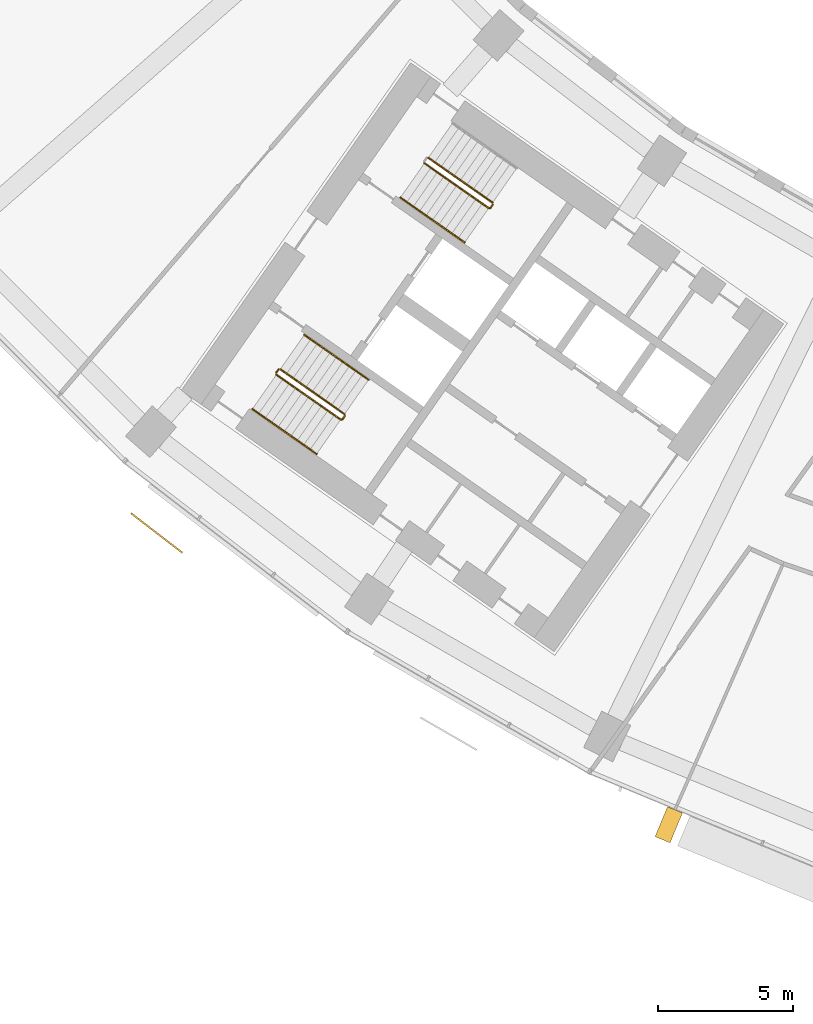
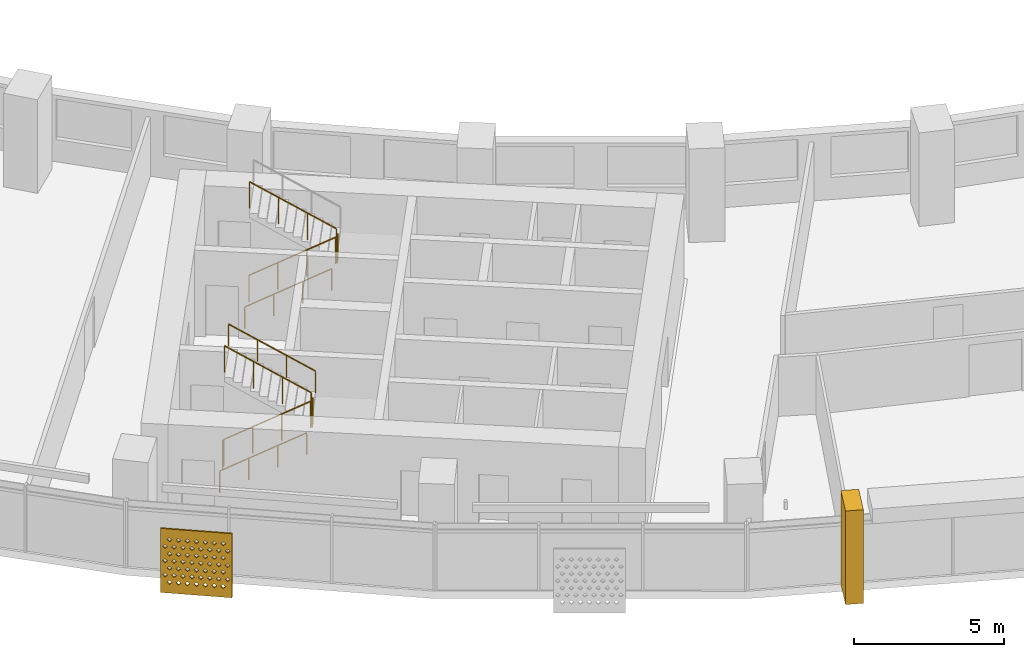
# One storey, part 24 of 29: 8 railings, 2 shading devices.
"""IFC4 building model written with IfcOpenShell, lengths in metres."""

from ifc_helpers import new_model, si_unit, direction, frame, origin, origin_2d, place, context, subcontext, project, spatial, polyline, circle, outline, extrude, material, material_profile, profile_set, type_object, element, save


model = new_model("IFC4")

# Units and contexts
model_context = context("Model", 3, precision=1e-05, world=origin(), true_north=direction((0.0, 1.0)))
body_context = subcontext(model_context, "Body", "Model", "MODEL_VIEW")
ifc_project = project(units=[si_unit("LENGTHUNIT", "METRE"), si_unit("AREAUNIT", "SQUARE_METRE"), si_unit("VOLUMEUNIT", "CUBIC_METRE"), si_unit("PLANEANGLEUNIT", "RADIAN"), si_unit("MASSUNIT", "GRAM", prefix="KILO")], contexts=[model_context])

# Site, building, storey
site_placement = place(None, origin())
site = spatial("IfcSite", under=ifc_project, at=site_placement, CompositionType="ELEMENT")
building_placement = place(site_placement, origin())
building = spatial("IfcBuilding", under=site, at=building_placement, Name="Qamariyya Broadcast Tower", CompositionType="ELEMENT")
storey_placement = place(building_placement, frame((0.0, 0.0, 106.300048828125)))
storey = spatial("IfcBuildingStorey", under=building, at=storey_placement, Name="L23", CompositionType="ELEMENT", Elevation=106.300048828125)

# Shading devices
ifc_material_1 = material(Name="Steel S355 powder coated deep red", Category="steel")
shading_device_type_1 = type_object("IfcShadingDeviceType", Name="Deep red frame, powder coated steel box section", PredefinedType="USERDEFINED", material=ifc_material_1)
shading_device_1_placement = place(storey_placement, origin())
element("IfcShadingDevice", 1, at=shading_device_1_placement, inside=storey, type_object=shading_device_type_1, Name="e-frm-B2-F1-posta-L23", ObjectType="FRAME", PredefinedType="USERDEFINED", context=body_context, shape_type="SweptSolid", body=[
    extrude(outline(polyline([(-32.15625, -72.330322265625), (-32.615478515625, -73.43896484375), (-32.06103515625, -73.668701171875), (-31.601806640625, -72.56005859375), (-32.15625, -72.330322265625)])), origin(), (0.0, 0.0, 1.0), 3.800048828125),
])
ifc_material_2 = material(Name="Perforated glazed terracotta", Category="masonry")
ifc_material_profile = material_profile(ifc_material_2, outline(polyline([(-1.199951171875, -1.300048828125), (1.199951171875, -1.300048828125), (1.199951171875, 1.300048828125), (-1.199951171875, 1.300048828125), (-1.199951171875, -1.300048828125)]), holes=[polyline([(-0.81494140625, -0.86669921875), (-0.89990234375, -0.78173828125), (-0.985107421875, -0.86669921875), (-0.89990234375, -0.95166015625), (-0.81494140625, -0.86669921875)]), polyline([(-0.514892578125, -0.86669921875), (-0.60009765625, -0.78173828125), (-0.68505859375, -0.86669921875), (-0.60009765625, -0.95166015625), (-0.514892578125, -0.86669921875)]), polyline([(-0.215087890625, -0.86669921875), (-0.300048828125, -0.78173828125), (-0.385009765625, -0.86669921875), (-0.300048828125, -0.95166015625), (-0.215087890625, -0.86669921875)]), polyline([(0.0849609375, -0.86669921875), (0.0, -0.78173828125), (-0.0849609375, -0.86669921875), (0.0, -0.95166015625), (0.0849609375, -0.86669921875)]), polyline([(0.385009765625, -0.86669921875), (0.300048828125, -0.78173828125), (0.215087890625, -0.86669921875), (0.300048828125, -0.95166015625), (0.385009765625, -0.86669921875)]), polyline([(0.68505859375, -0.86669921875), (0.60009765625, -0.78173828125), (0.514892578125, -0.86669921875), (0.60009765625, -0.95166015625), (0.68505859375, -0.86669921875)]), polyline([(0.985107421875, -0.86669921875), (0.89990234375, -0.78173828125), (0.81494140625, -0.86669921875), (0.89990234375, -0.95166015625), (0.985107421875, -0.86669921875)]), polyline([(-0.965087890625, -0.577880859375), (-1.050048828125, -0.49267578125), (-1.135009765625, -0.577880859375), (-1.050048828125, -0.662841796875), (-0.965087890625, -0.577880859375)]), polyline([(-0.6650390625, -0.577880859375), (-0.75, -0.49267578125), (-0.8349609375, -0.577880859375), (-0.75, -0.662841796875), (-0.6650390625, -0.577880859375)]), polyline([(-0.364990234375, -0.577880859375), (-0.449951171875, -0.49267578125), (-0.534912109375, -0.577880859375), (-0.449951171875, -0.662841796875), (-0.364990234375, -0.577880859375)]), polyline([(-0.06494140625, -0.577880859375), (-0.14990234375, -0.49267578125), (-0.235107421875, -0.577880859375), (-0.14990234375, -0.662841796875), (-0.06494140625, -0.577880859375)]), polyline([(0.235107421875, -0.577880859375), (0.14990234375, -0.49267578125), (0.06494140625, -0.577880859375), (0.14990234375, -0.662841796875), (0.235107421875, -0.577880859375)]), polyline([(0.534912109375, -0.577880859375), (0.449951171875, -0.49267578125), (0.364990234375, -0.577880859375), (0.449951171875, -0.662841796875), (0.534912109375, -0.577880859375)]), polyline([(0.8349609375, -0.577880859375), (0.75, -0.49267578125), (0.6650390625, -0.577880859375), (0.75, -0.662841796875), (0.8349609375, -0.577880859375)]), polyline([(1.135009765625, -0.577880859375), (1.050048828125, -0.49267578125), (0.965087890625, -0.577880859375), (1.050048828125, -0.662841796875), (1.135009765625, -0.577880859375)]), polyline([(-0.81494140625, -0.288818359375), (-0.89990234375, -0.203857421875), (-0.985107421875, -0.288818359375), (-0.89990234375, -0.373779296875), (-0.81494140625, -0.288818359375)]), polyline([(-0.514892578125, -0.288818359375), (-0.60009765625, -0.203857421875), (-0.68505859375, -0.288818359375), (-0.60009765625, -0.373779296875), (-0.514892578125, -0.288818359375)]), polyline([(-0.215087890625, -0.288818359375), (-0.300048828125, -0.203857421875), (-0.385009765625, -0.288818359375), (-0.300048828125, -0.373779296875), (-0.215087890625, -0.288818359375)]), polyline([(0.0849609375, -0.288818359375), (0.0, -0.203857421875), (-0.0849609375, -0.288818359375), (0.0, -0.373779296875), (0.0849609375, -0.288818359375)]), polyline([(0.385009765625, -0.288818359375), (0.300048828125, -0.203857421875), (0.215087890625, -0.288818359375), (0.300048828125, -0.373779296875), (0.385009765625, -0.288818359375)]), polyline([(0.68505859375, -0.288818359375), (0.60009765625, -0.203857421875), (0.514892578125, -0.288818359375), (0.60009765625, -0.373779296875), (0.68505859375, -0.288818359375)]), polyline([(0.985107421875, -0.288818359375), (0.89990234375, -0.203857421875), (0.81494140625, -0.288818359375), (0.89990234375, -0.373779296875), (0.985107421875, -0.288818359375)]), polyline([(-0.965087890625, 0.0), (-1.050048828125, 0.0849609375), (-1.135009765625, 0.0), (-1.050048828125, -0.0849609375), (-0.965087890625, 0.0)]), polyline([(-0.6650390625, 0.0), (-0.75, 0.0849609375), (-0.8349609375, 0.0), (-0.75, -0.0849609375), (-0.6650390625, 0.0)]), polyline([(-0.364990234375, 0.0), (-0.449951171875, 0.0849609375), (-0.534912109375, 0.0), (-0.449951171875, -0.0849609375), (-0.364990234375, 0.0)]), polyline([(-0.06494140625, 0.0), (-0.14990234375, 0.0849609375), (-0.235107421875, 0.0), (-0.14990234375, -0.0849609375), (-0.06494140625, 0.0)]), polyline([(0.235107421875, 0.0), (0.14990234375, 0.0849609375), (0.06494140625, 0.0), (0.14990234375, -0.0849609375), (0.235107421875, 0.0)]), polyline([(0.534912109375, 0.0), (0.449951171875, 0.0849609375), (0.364990234375, 0.0), (0.449951171875, -0.0849609375), (0.534912109375, 0.0)]), polyline([(0.8349609375, 0.0), (0.75, 0.0849609375), (0.6650390625, 0.0), (0.75, -0.0849609375), (0.8349609375, 0.0)]), polyline([(1.135009765625, 0.0), (1.050048828125, 0.0849609375), (0.965087890625, 0.0), (1.050048828125, -0.0849609375), (1.135009765625, 0.0)]), polyline([(-0.81494140625, 0.288818359375), (-0.89990234375, 0.373779296875), (-0.985107421875, 0.288818359375), (-0.89990234375, 0.203857421875), (-0.81494140625, 0.288818359375)]), polyline([(-0.514892578125, 0.288818359375), (-0.60009765625, 0.373779296875), (-0.68505859375, 0.288818359375), (-0.60009765625, 0.203857421875), (-0.514892578125, 0.288818359375)]), polyline([(-0.215087890625, 0.288818359375), (-0.300048828125, 0.373779296875), (-0.385009765625, 0.288818359375), (-0.300048828125, 0.203857421875), (-0.215087890625, 0.288818359375)]), polyline([(0.0849609375, 0.288818359375), (0.0, 0.373779296875), (-0.0849609375, 0.288818359375), (0.0, 0.203857421875), (0.0849609375, 0.288818359375)]), polyline([(0.385009765625, 0.288818359375), (0.300048828125, 0.373779296875), (0.215087890625, 0.288818359375), (0.300048828125, 0.203857421875), (0.385009765625, 0.288818359375)]), polyline([(0.68505859375, 0.288818359375), (0.60009765625, 0.373779296875), (0.514892578125, 0.288818359375), (0.60009765625, 0.203857421875), (0.68505859375, 0.288818359375)]), polyline([(0.985107421875, 0.288818359375), (0.89990234375, 0.373779296875), (0.81494140625, 0.288818359375), (0.89990234375, 0.203857421875), (0.985107421875, 0.288818359375)]), polyline([(-0.965087890625, 0.577880859375), (-1.050048828125, 0.662841796875), (-1.135009765625, 0.577880859375), (-1.050048828125, 0.49267578125), (-0.965087890625, 0.577880859375)]), polyline([(-0.6650390625, 0.577880859375), (-0.75, 0.662841796875), (-0.8349609375, 0.577880859375), (-0.75, 0.49267578125), (-0.6650390625, 0.577880859375)]), polyline([(-0.364990234375, 0.577880859375), (-0.449951171875, 0.662841796875), (-0.534912109375, 0.577880859375), (-0.449951171875, 0.49267578125), (-0.364990234375, 0.577880859375)]), polyline([(-0.06494140625, 0.577880859375), (-0.14990234375, 0.662841796875), (-0.235107421875, 0.577880859375), (-0.14990234375, 0.49267578125), (-0.06494140625, 0.577880859375)]), polyline([(0.235107421875, 0.577880859375), (0.14990234375, 0.662841796875), (0.06494140625, 0.577880859375), (0.14990234375, 0.49267578125), (0.235107421875, 0.577880859375)]), polyline([(0.534912109375, 0.577880859375), (0.449951171875, 0.662841796875), (0.364990234375, 0.577880859375), (0.449951171875, 0.49267578125), (0.534912109375, 0.577880859375)]), polyline([(0.8349609375, 0.577880859375), (0.75, 0.662841796875), (0.6650390625, 0.577880859375), (0.75, 0.49267578125), (0.8349609375, 0.577880859375)]), polyline([(1.135009765625, 0.577880859375), (1.050048828125, 0.662841796875), (0.965087890625, 0.577880859375), (1.050048828125, 0.49267578125), (1.135009765625, 0.577880859375)]), polyline([(-0.81494140625, 0.86669921875), (-0.89990234375, 0.95166015625), (-0.985107421875, 0.86669921875), (-0.89990234375, 0.78173828125), (-0.81494140625, 0.86669921875)]), polyline([(-0.514892578125, 0.86669921875), (-0.60009765625, 0.95166015625), (-0.68505859375, 0.86669921875), (-0.60009765625, 0.78173828125), (-0.514892578125, 0.86669921875)]), polyline([(-0.215087890625, 0.86669921875), (-0.300048828125, 0.95166015625), (-0.385009765625, 0.86669921875), (-0.300048828125, 0.78173828125), (-0.215087890625, 0.86669921875)]), polyline([(0.0849609375, 0.86669921875), (0.0, 0.95166015625), (-0.0849609375, 0.86669921875), (0.0, 0.78173828125), (0.0849609375, 0.86669921875)]), polyline([(0.385009765625, 0.86669921875), (0.300048828125, 0.95166015625), (0.215087890625, 0.86669921875), (0.300048828125, 0.78173828125), (0.385009765625, 0.86669921875)]), polyline([(0.68505859375, 0.86669921875), (0.60009765625, 0.95166015625), (0.514892578125, 0.86669921875), (0.60009765625, 0.78173828125), (0.68505859375, 0.86669921875)]), polyline([(0.985107421875, 0.86669921875), (0.89990234375, 0.95166015625), (0.81494140625, 0.86669921875), (0.89990234375, 0.78173828125), (0.985107421875, 0.86669921875)])]))
ifc_profile_set = profile_set([ifc_material_profile], Name="Perforated glazed terracotta")
shading_device_type_2 = type_object("IfcShadingDeviceType", Name="Perforated terracotta screen 2400 x 2600", PredefinedType="USERDEFINED", material=ifc_profile_set)
shading_device_2_placement = place(storey_placement, frame((-51.038818359375, -62.1787109375, 1.349853515625), z_axis=(-0.60971076085, -0.792623989105, 0.0), x_axis=(0.792623989105, -0.60971076085, 0.0)))
element("IfcShadingDevice", 2, at=shading_device_2_placement, inside=storey, type_object=shading_device_type_2, Name="e-scr-L23-04-0", ObjectType="SCREEN", PredefinedType="USERDEFINED", context=body_context, shape_type="SweptSolid", body=[
    extrude(outline(polyline([(-1.199951171875, -1.300048828125), (1.199951171875, -1.300048828125), (1.199951171875, 1.300048828125), (-1.199951171875, 1.300048828125), (-1.199951171875, -1.300048828125)]), holes=[polyline([(-0.81494140625, -0.86669921875), (-0.89990234375, -0.78173828125), (-0.985107421875, -0.86669921875), (-0.89990234375, -0.95166015625), (-0.81494140625, -0.86669921875)]), polyline([(-0.514892578125, -0.86669921875), (-0.60009765625, -0.78173828125), (-0.68505859375, -0.86669921875), (-0.60009765625, -0.95166015625), (-0.514892578125, -0.86669921875)]), polyline([(-0.215087890625, -0.86669921875), (-0.300048828125, -0.78173828125), (-0.385009765625, -0.86669921875), (-0.300048828125, -0.95166015625), (-0.215087890625, -0.86669921875)]), polyline([(0.0849609375, -0.86669921875), (0.0, -0.78173828125), (-0.0849609375, -0.86669921875), (0.0, -0.95166015625), (0.0849609375, -0.86669921875)]), polyline([(0.385009765625, -0.86669921875), (0.300048828125, -0.78173828125), (0.215087890625, -0.86669921875), (0.300048828125, -0.95166015625), (0.385009765625, -0.86669921875)]), polyline([(0.68505859375, -0.86669921875), (0.60009765625, -0.78173828125), (0.514892578125, -0.86669921875), (0.60009765625, -0.95166015625), (0.68505859375, -0.86669921875)]), polyline([(0.985107421875, -0.86669921875), (0.89990234375, -0.78173828125), (0.81494140625, -0.86669921875), (0.89990234375, -0.95166015625), (0.985107421875, -0.86669921875)]), polyline([(-0.965087890625, -0.577880859375), (-1.050048828125, -0.49267578125), (-1.135009765625, -0.577880859375), (-1.050048828125, -0.662841796875), (-0.965087890625, -0.577880859375)]), polyline([(-0.6650390625, -0.577880859375), (-0.75, -0.49267578125), (-0.8349609375, -0.577880859375), (-0.75, -0.662841796875), (-0.6650390625, -0.577880859375)]), polyline([(-0.364990234375, -0.577880859375), (-0.449951171875, -0.49267578125), (-0.534912109375, -0.577880859375), (-0.449951171875, -0.662841796875), (-0.364990234375, -0.577880859375)]), polyline([(-0.06494140625, -0.577880859375), (-0.14990234375, -0.49267578125), (-0.235107421875, -0.577880859375), (-0.14990234375, -0.662841796875), (-0.06494140625, -0.577880859375)]), polyline([(0.235107421875, -0.577880859375), (0.14990234375, -0.49267578125), (0.06494140625, -0.577880859375), (0.14990234375, -0.662841796875), (0.235107421875, -0.577880859375)]), polyline([(0.534912109375, -0.577880859375), (0.449951171875, -0.49267578125), (0.364990234375, -0.577880859375), (0.449951171875, -0.662841796875), (0.534912109375, -0.577880859375)]), polyline([(0.8349609375, -0.577880859375), (0.75, -0.49267578125), (0.6650390625, -0.577880859375), (0.75, -0.662841796875), (0.8349609375, -0.577880859375)]), polyline([(1.135009765625, -0.577880859375), (1.050048828125, -0.49267578125), (0.965087890625, -0.577880859375), (1.050048828125, -0.662841796875), (1.135009765625, -0.577880859375)]), polyline([(-0.81494140625, -0.288818359375), (-0.89990234375, -0.203857421875), (-0.985107421875, -0.288818359375), (-0.89990234375, -0.373779296875), (-0.81494140625, -0.288818359375)]), polyline([(-0.514892578125, -0.288818359375), (-0.60009765625, -0.203857421875), (-0.68505859375, -0.288818359375), (-0.60009765625, -0.373779296875), (-0.514892578125, -0.288818359375)]), polyline([(-0.215087890625, -0.288818359375), (-0.300048828125, -0.203857421875), (-0.385009765625, -0.288818359375), (-0.300048828125, -0.373779296875), (-0.215087890625, -0.288818359375)]), polyline([(0.0849609375, -0.288818359375), (0.0, -0.203857421875), (-0.0849609375, -0.288818359375), (0.0, -0.373779296875), (0.0849609375, -0.288818359375)]), polyline([(0.385009765625, -0.288818359375), (0.300048828125, -0.203857421875), (0.215087890625, -0.288818359375), (0.300048828125, -0.373779296875), (0.385009765625, -0.288818359375)]), polyline([(0.68505859375, -0.288818359375), (0.60009765625, -0.203857421875), (0.514892578125, -0.288818359375), (0.60009765625, -0.373779296875), (0.68505859375, -0.288818359375)]), polyline([(0.985107421875, -0.288818359375), (0.89990234375, -0.203857421875), (0.81494140625, -0.288818359375), (0.89990234375, -0.373779296875), (0.985107421875, -0.288818359375)]), polyline([(-0.965087890625, 0.0), (-1.050048828125, 0.0849609375), (-1.135009765625, 0.0), (-1.050048828125, -0.0849609375), (-0.965087890625, 0.0)]), polyline([(-0.6650390625, 0.0), (-0.75, 0.0849609375), (-0.8349609375, 0.0), (-0.75, -0.0849609375), (-0.6650390625, 0.0)]), polyline([(-0.364990234375, 0.0), (-0.449951171875, 0.0849609375), (-0.534912109375, 0.0), (-0.449951171875, -0.0849609375), (-0.364990234375, 0.0)]), polyline([(-0.06494140625, 0.0), (-0.14990234375, 0.0849609375), (-0.235107421875, 0.0), (-0.14990234375, -0.0849609375), (-0.06494140625, 0.0)]), polyline([(0.235107421875, 0.0), (0.14990234375, 0.0849609375), (0.06494140625, 0.0), (0.14990234375, -0.0849609375), (0.235107421875, 0.0)]), polyline([(0.534912109375, 0.0), (0.449951171875, 0.0849609375), (0.364990234375, 0.0), (0.449951171875, -0.0849609375), (0.534912109375, 0.0)]), polyline([(0.8349609375, 0.0), (0.75, 0.0849609375), (0.6650390625, 0.0), (0.75, -0.0849609375), (0.8349609375, 0.0)]), polyline([(1.135009765625, 0.0), (1.050048828125, 0.0849609375), (0.965087890625, 0.0), (1.050048828125, -0.0849609375), (1.135009765625, 0.0)]), polyline([(-0.81494140625, 0.288818359375), (-0.89990234375, 0.373779296875), (-0.985107421875, 0.288818359375), (-0.89990234375, 0.203857421875), (-0.81494140625, 0.288818359375)]), polyline([(-0.514892578125, 0.288818359375), (-0.60009765625, 0.373779296875), (-0.68505859375, 0.288818359375), (-0.60009765625, 0.203857421875), (-0.514892578125, 0.288818359375)]), polyline([(-0.215087890625, 0.288818359375), (-0.300048828125, 0.373779296875), (-0.385009765625, 0.288818359375), (-0.300048828125, 0.203857421875), (-0.215087890625, 0.288818359375)]), polyline([(0.0849609375, 0.288818359375), (0.0, 0.373779296875), (-0.0849609375, 0.288818359375), (0.0, 0.203857421875), (0.0849609375, 0.288818359375)]), polyline([(0.385009765625, 0.288818359375), (0.300048828125, 0.373779296875), (0.215087890625, 0.288818359375), (0.300048828125, 0.203857421875), (0.385009765625, 0.288818359375)]), polyline([(0.68505859375, 0.288818359375), (0.60009765625, 0.373779296875), (0.514892578125, 0.288818359375), (0.60009765625, 0.203857421875), (0.68505859375, 0.288818359375)]), polyline([(0.985107421875, 0.288818359375), (0.89990234375, 0.373779296875), (0.81494140625, 0.288818359375), (0.89990234375, 0.203857421875), (0.985107421875, 0.288818359375)]), polyline([(-0.965087890625, 0.577880859375), (-1.050048828125, 0.662841796875), (-1.135009765625, 0.577880859375), (-1.050048828125, 0.49267578125), (-0.965087890625, 0.577880859375)]), polyline([(-0.6650390625, 0.577880859375), (-0.75, 0.662841796875), (-0.8349609375, 0.577880859375), (-0.75, 0.49267578125), (-0.6650390625, 0.577880859375)]), polyline([(-0.364990234375, 0.577880859375), (-0.449951171875, 0.662841796875), (-0.534912109375, 0.577880859375), (-0.449951171875, 0.49267578125), (-0.364990234375, 0.577880859375)]), polyline([(-0.06494140625, 0.577880859375), (-0.14990234375, 0.662841796875), (-0.235107421875, 0.577880859375), (-0.14990234375, 0.49267578125), (-0.06494140625, 0.577880859375)]), polyline([(0.235107421875, 0.577880859375), (0.14990234375, 0.662841796875), (0.06494140625, 0.577880859375), (0.14990234375, 0.49267578125), (0.235107421875, 0.577880859375)]), polyline([(0.534912109375, 0.577880859375), (0.449951171875, 0.662841796875), (0.364990234375, 0.577880859375), (0.449951171875, 0.49267578125), (0.534912109375, 0.577880859375)]), polyline([(0.8349609375, 0.577880859375), (0.75, 0.662841796875), (0.6650390625, 0.577880859375), (0.75, 0.49267578125), (0.8349609375, 0.577880859375)]), polyline([(1.135009765625, 0.577880859375), (1.050048828125, 0.662841796875), (0.965087890625, 0.577880859375), (1.050048828125, 0.49267578125), (1.135009765625, 0.577880859375)]), polyline([(-0.81494140625, 0.86669921875), (-0.89990234375, 0.95166015625), (-0.985107421875, 0.86669921875), (-0.89990234375, 0.78173828125), (-0.81494140625, 0.86669921875)]), polyline([(-0.514892578125, 0.86669921875), (-0.60009765625, 0.95166015625), (-0.68505859375, 0.86669921875), (-0.60009765625, 0.78173828125), (-0.514892578125, 0.86669921875)]), polyline([(-0.215087890625, 0.86669921875), (-0.300048828125, 0.95166015625), (-0.385009765625, 0.86669921875), (-0.300048828125, 0.78173828125), (-0.215087890625, 0.86669921875)]), polyline([(0.0849609375, 0.86669921875), (0.0, 0.95166015625), (-0.0849609375, 0.86669921875), (0.0, 0.78173828125), (0.0849609375, 0.86669921875)]), polyline([(0.385009765625, 0.86669921875), (0.300048828125, 0.95166015625), (0.215087890625, 0.86669921875), (0.300048828125, 0.78173828125), (0.385009765625, 0.86669921875)]), polyline([(0.68505859375, 0.86669921875), (0.60009765625, 0.95166015625), (0.514892578125, 0.86669921875), (0.60009765625, 0.78173828125), (0.68505859375, 0.86669921875)]), polyline([(0.985107421875, 0.86669921875), (0.89990234375, 0.95166015625), (0.81494140625, 0.86669921875), (0.89990234375, 0.78173828125), (0.985107421875, 0.86669921875)])]), origin(), (0.0, 0.0, 1.0), 0.06005859375),
])

# Railings
ifc_material_3 = material(Name="Painted steel", Category="steel")
railing_type_1 = type_object("IfcRailingType", Name="Stair guard", PredefinedType="GUARDRAIL", material=ifc_material_3)
railing_1_placement = place(storey_placement, frame((-41.146728515625, -48.52490234375, 0.172607421875)))
element("IfcRailing", 3, at=railing_1_placement, inside=storey, type_object=railing_type_1, Name="L23 ST-W2 stair guard 1", PredefinedType="GUARDRAIL", context=body_context, shape_type="SweptSolid", body=[
    extrude(circle(Radius=0.02392578125, at=origin_2d()), frame((0.0, 0.0, 1.076171875), z_axis=(0.703770094002, -0.492783725636, 0.511734163933), x_axis=(0.573575343427, 0.819152809562, 0.0)), (0.0, 0.0, 1.0), 3.37548828125),
    extrude(circle(Radius=0.02392578125, at=origin_2d()), frame((2.37548828125, -1.663330078125, 2.80322265625), z_axis=(0.985059694769, 0.172213233351, 0.0), x_axis=(-0.172213233351, 0.985059694769, 0.0)), (0.0, 0.0, 1.0), 0.07080078125),
    extrude(circle(Radius=0.02392578125, at=origin_2d()), frame((2.4453125, -1.651123046875, 2.80322265625), z_axis=(0.572588637393, 0.819842821722, 0.0), x_axis=(-0.819842821722, 0.572588637393, 0.0)), (0.0, 0.0, 1.0), 0.150146484375),
    extrude(circle(Radius=0.02099609375, at=origin_2d()), origin(), (0.0, 0.0, 1.0), 1.052001953125),
    extrude(circle(Radius=0.02099609375, at=origin_2d()), frame((0.791748046875, -0.554443359375, 0.57568359375)), (0.0, 0.0, 1.0), 1.052001953125),
    extrude(circle(Radius=0.02099609375, at=origin_2d()), frame((1.583740234375, -1.10888671875, 1.151611328125)), (0.0, 0.0, 1.0), 1.052001953125),
    extrude(circle(Radius=0.02099609375, at=origin_2d()), frame((2.37548828125, -1.663330078125, 1.727294921875)), (0.0, 0.0, 1.0), 1.052001953125),
    extrude(circle(Radius=0.02099609375, at=origin_2d()), frame((2.4453125, -1.651123046875, 1.727294921875)), (0.0, 0.0, 1.0), 1.052001953125),
    extrude(circle(Radius=0.02099609375, at=origin_2d()), frame((2.53125, -1.528076171875, 1.727294921875)), (0.0, 0.0, 1.0), 1.052001953125),
])
railing_2_placement = place(storey_placement, frame((-38.627685546875, -49.9833984375, 2.07275390625)))
element("IfcRailing", 4, at=railing_2_placement, inside=storey, type_object=railing_type_1, Name="L23 ST-W2 stair guard 2", PredefinedType="GUARDRAIL", context=body_context, shape_type="SweptSolid", body=[
    extrude(circle(Radius=0.02392578125, at=origin_2d()), frame((0.0, 0.0, 1.076171875), z_axis=(-0.703770094002, 0.492783725636, 0.511734163933), x_axis=(-0.573575343427, -0.819152809562, 0.0)), (0.0, 0.0, 1.0), 3.37548828125),
    extrude(circle(Radius=0.02099609375, at=origin_2d()), origin(), (0.0, 0.0, 1.0), 1.052001953125),
    extrude(circle(Radius=0.02099609375, at=origin_2d()), frame((-0.791748046875, 0.554443359375, 0.57568359375)), (0.0, 0.0, 1.0), 1.052001953125),
    extrude(circle(Radius=0.02099609375, at=origin_2d()), frame((-1.583740234375, 1.10888671875, 1.151611328125)), (0.0, 0.0, 1.0), 1.052001953125),
    extrude(circle(Radius=0.02099609375, at=origin_2d()), frame((-2.37548828125, 1.663330078125, 1.727294921875)), (0.0, 0.0, 1.0), 1.052001953125),
])
railing_3_placement = place(storey_placement, frame((-46.624267578125, -56.34765625, 0.172607421875)))
element("IfcRailing", 5, at=railing_3_placement, inside=storey, type_object=railing_type_1, Name="L23 ST-W1 stair guard 1", PredefinedType="GUARDRAIL", context=body_context, shape_type="SweptSolid", body=[
    extrude(circle(Radius=0.02392578125, at=origin_2d()), frame((0.0, 0.0, 1.076171875), z_axis=(0.703745009021, -0.492838488332, 0.511715923826), x_axis=(0.573631830683, 0.819113253969, 0.0)), (0.0, 0.0, 1.0), 3.37548828125),
    extrude(circle(Radius=0.02392578125, at=origin_2d()), frame((2.37548828125, -1.66357421875, 2.80322265625), z_axis=(0.984363469884, 0.176149252506, 0.0), x_axis=(-0.176149252506, 0.984363469884, 0.0)), (0.0, 0.0, 1.0), 0.07080078125),
    extrude(circle(Radius=0.02392578125, at=origin_2d()), frame((2.445068359375, -1.651123046875, 2.80322265625), z_axis=(0.574444878118, 0.818543268254, 0.0), x_axis=(-0.818543268254, 0.574444878118, 0.0)), (0.0, 0.0, 1.0), 0.150146484375),
    extrude(circle(Radius=0.02099609375, at=origin_2d()), origin(), (0.0, 0.0, 1.0), 1.052001953125),
    extrude(circle(Radius=0.02099609375, at=origin_2d()), frame((0.791748046875, -0.554443359375, 0.57568359375)), (0.0, 0.0, 1.0), 1.052001953125),
    extrude(circle(Radius=0.02099609375, at=origin_2d()), frame((1.583740234375, -1.109130859375, 1.151611328125)), (0.0, 0.0, 1.0), 1.052001953125),
    extrude(circle(Radius=0.02099609375, at=origin_2d()), frame((2.37548828125, -1.66357421875, 1.727294921875)), (0.0, 0.0, 1.0), 1.052001953125),
    extrude(circle(Radius=0.02099609375, at=origin_2d()), frame((2.445068359375, -1.651123046875, 1.727294921875)), (0.0, 0.0, 1.0), 1.052001953125),
    extrude(circle(Radius=0.02099609375, at=origin_2d()), frame((2.53125, -1.5283203125, 1.727294921875)), (0.0, 0.0, 1.0), 1.052001953125),
])
railing_4_placement = place(storey_placement, frame((-44.10546875, -57.806396484375, 2.07275390625)))
element("IfcRailing", 6, at=railing_4_placement, inside=storey, type_object=railing_type_1, Name="L23 ST-W1 stair guard 2", PredefinedType="GUARDRAIL", context=body_context, shape_type="SweptSolid", body=[
    extrude(circle(Radius=0.02392578125, at=origin_2d()), frame((0.0, 0.0, 1.076171875), z_axis=(-0.703770094002, 0.492783725636, 0.511734163933), x_axis=(-0.573575343427, -0.819152809562, 0.0)), (0.0, 0.0, 1.0), 3.37548828125),
    extrude(circle(Radius=0.02099609375, at=origin_2d()), origin(), (0.0, 0.0, 1.0), 1.052001953125),
    extrude(circle(Radius=0.02099609375, at=origin_2d()), frame((-0.791748046875, 0.554443359375, 0.57568359375)), (0.0, 0.0, 1.0), 1.052001953125),
    extrude(circle(Radius=0.02099609375, at=origin_2d()), frame((-1.583740234375, 1.10888671875, 1.151611328125)), (0.0, 0.0, 1.0), 1.052001953125),
    extrude(circle(Radius=0.02099609375, at=origin_2d()), frame((-2.37548828125, 1.663330078125, 1.727294921875)), (0.0, 0.0, 1.0), 1.052001953125),
])
railing_5_placement = place(storey_placement, frame((-46.63671875, -56.278076171875, 0.0)))
element("IfcRailing", 7, at=railing_5_placement, inside=storey, type_object=railing_type_1, Name="L23 ST-W1 stair guard 3", PredefinedType="GUARDRAIL", context=body_context, shape_type="SweptSolid", body=[
    extrude(circle(Radius=0.02392578125, at=origin_2d()), frame((0.0, 0.0, 1.076171875), z_axis=(0.574444878118, 0.818543268254, 0.0), x_axis=(-0.818543268254, 0.574444878118, 0.0)), (0.0, 0.0, 1.0), 0.150146484375),
    extrude(circle(Radius=0.02099609375, at=origin_2d()), origin(), (0.0, 0.0, 1.0), 1.052001953125),
    extrude(circle(Radius=0.02099609375, at=origin_2d()), frame((0.086181640625, 0.122802734375, 0.0)), (0.0, 0.0, 1.0), 1.052001953125),
])
ifc_material_4 = material(Name="Stainless steel", Category="steel")
railing_type_2 = type_object("IfcRailingType", Name="Stair handrail", PredefinedType="HANDRAIL", material=ifc_material_4)
railing_6_placement = place(storey_placement, frame((-42.03564453125, -49.79443359375, 0.172607421875)))
element("IfcRailing", 8, at=railing_6_placement, inside=storey, type_object=railing_type_2, Name="L23 ST-W2 stair handrail 1", PredefinedType="HANDRAIL", context=body_context, shape_type="SweptSolid", body=[
    extrude(circle(Radius=0.02392578125, at=origin_2d()), frame((0.0, 0.0, 0.8759765625), z_axis=(0.703745009021, -0.492838488332, 0.511715923826), x_axis=(0.573631830683, 0.819113253969, 0.0)), (0.0, 0.0, 1.0), 3.37548828125),
    extrude(circle(Radius=0.02099609375, at=origin_2d()), origin(), (0.0, 0.0, 1.0), 0.851806640625),
    extrude(circle(Radius=0.02099609375, at=origin_2d()), frame((0.791748046875, -0.554443359375, 0.57568359375)), (0.0, 0.0, 1.0), 0.851806640625),
    extrude(circle(Radius=0.02099609375, at=origin_2d()), frame((1.583740234375, -1.109130859375, 1.151611328125)), (0.0, 0.0, 1.0), 0.851806640625),
    extrude(circle(Radius=0.02099609375, at=origin_2d()), frame((2.37548828125, -1.66357421875, 1.727294921875)), (0.0, 0.0, 1.0), 0.851806640625),
])
railing_7_placement = place(storey_placement, frame((-47.513427734375, -57.617431640625, 0.172607421875)))
element("IfcRailing", 9, at=railing_7_placement, inside=storey, type_object=railing_type_2, Name="L23 ST-W1 stair handrail 1", PredefinedType="HANDRAIL", context=body_context, shape_type="SweptSolid", body=[
    extrude(circle(Radius=0.02392578125, at=origin_2d()), frame((0.0, 0.0, 0.8759765625), z_axis=(0.703770094002, -0.492783725636, 0.511734163933), x_axis=(0.573575343427, 0.819152809562, 0.0)), (0.0, 0.0, 1.0), 3.37548828125),
    extrude(circle(Radius=0.02099609375, at=origin_2d()), origin(), (0.0, 0.0, 1.0), 0.851806640625),
    extrude(circle(Radius=0.02099609375, at=origin_2d()), frame((0.791748046875, -0.554443359375, 0.57568359375)), (0.0, 0.0, 1.0), 0.851806640625),
    extrude(circle(Radius=0.02099609375, at=origin_2d()), frame((1.583740234375, -1.10888671875, 1.151611328125)), (0.0, 0.0, 1.0), 0.851806640625),
    extrude(circle(Radius=0.02099609375, at=origin_2d()), frame((2.37548828125, -1.663330078125, 1.727294921875)), (0.0, 0.0, 1.0), 0.851806640625),
])
railing_8_placement = place(storey_placement, frame((-43.21630859375, -56.53662109375, 2.07275390625)))
element("IfcRailing", 10, at=railing_8_placement, inside=storey, type_object=railing_type_2, Name="L23 ST-W1 stair handrail 2", PredefinedType="HANDRAIL", context=body_context, shape_type="SweptSolid", body=[
    extrude(circle(Radius=0.02392578125, at=origin_2d()), frame((0.0, 0.0, 0.8759765625), z_axis=(-0.703770094002, 0.492783725636, 0.511734163933), x_axis=(-0.573575343427, -0.819152809562, 0.0)), (0.0, 0.0, 1.0), 3.37548828125),
    extrude(circle(Radius=0.02099609375, at=origin_2d()), origin(), (0.0, 0.0, 1.0), 0.851806640625),
    extrude(circle(Radius=0.02099609375, at=origin_2d()), frame((-0.791748046875, 0.554443359375, 0.57568359375)), (0.0, 0.0, 1.0), 0.851806640625),
    extrude(circle(Radius=0.02099609375, at=origin_2d()), frame((-1.583740234375, 1.10888671875, 1.151611328125)), (0.0, 0.0, 1.0), 0.851806640625),
    extrude(circle(Radius=0.02099609375, at=origin_2d()), frame((-2.37548828125, 1.663330078125, 1.727294921875)), (0.0, 0.0, 1.0), 0.851806640625),
])

save(model, "model.ifc")
